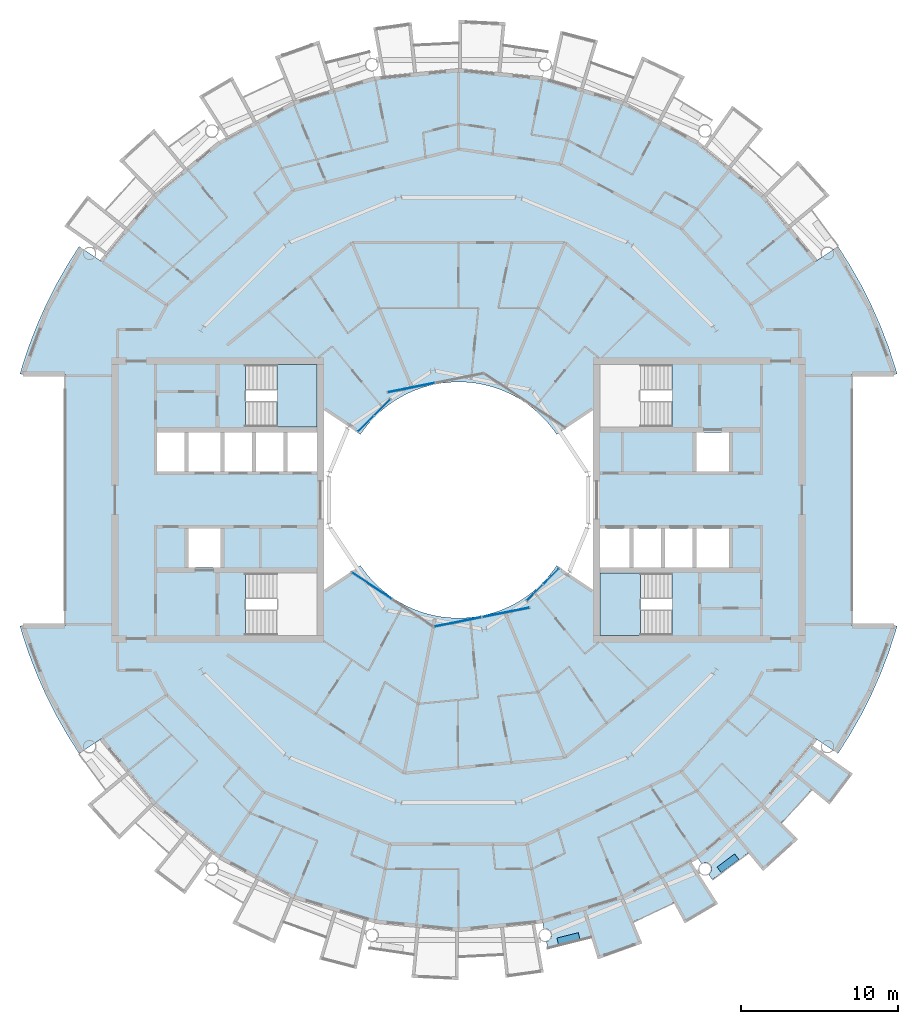
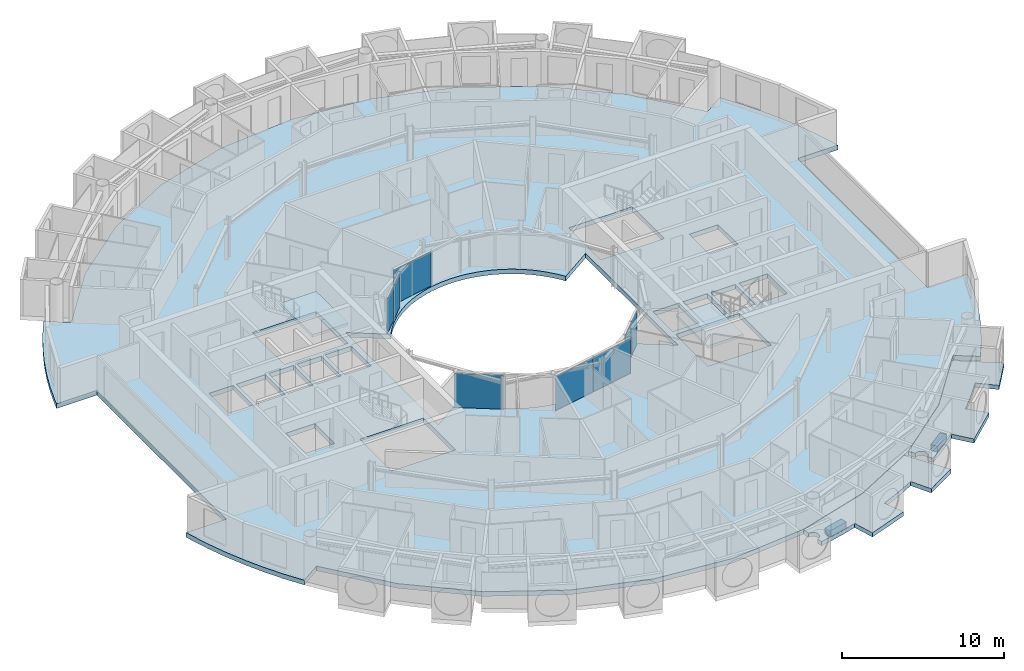
# One storey, part 12 of 29: 8 plates, 7 slabs, 7 elements without a shape of their own.
"""IFC4 building model written with IfcOpenShell, lengths in metres."""

import ifcopenshell
import ifcopenshell.guid

model = None  # the IFC model being written
_history = None  # IfcOwnerHistory: only IFC2X3 demands one
_inside = {}  # id of a spatial element -> (the spatial element, [elements in it])
_under = {}  # id of a project, library or spatial element -> (it, [spatial elements below it])
_declared = {}  # id of a project -> (the project, [libraries it declares])
_typed = {}  # id of a type object -> (the type object, [elements of that type])
_made_of = {}  # id of a material, layer set ... -> (it, [elements and type objects made of it])


def new_model(schema):
    """Start an empty IFC model of exactly this schema.

    Asked for "IFC4X3", IfcOpenShell would pick the latest addendum, in which some entities
    have other attributes; the version numbers below select the first issue.
    IFC2X3 requires an IfcOwnerHistory on every rooted entity: one is made here for all.
    """
    global model, _history
    if schema == "IFC4X3":
        model = ifcopenshell.file(schema_version=(4, 3, 0, 0))
    else:
        model = ifcopenshell.file(schema=schema)
    _inside.clear()
    _under.clear()
    _declared.clear()
    _typed.clear()
    _made_of.clear()
    _history = None
    if model.schema == "IFC2X3":
        org = make("IfcOrganization", Name="unknown")
        user = make(
            "IfcPersonAndOrganization",
            ThePerson=make("IfcPerson", FamilyName="unknown"),
            TheOrganization=org,
        )
        app = make(
            "IfcApplication",
            ApplicationDeveloper=org,
            Version="unknown",
            ApplicationFullName="unknown",
            ApplicationIdentifier="unknown",
        )
        _history = make(
            "IfcOwnerHistory",
            OwningUser=user,
            OwningApplication=app,
            ChangeAction="ADDED",
            CreationDate=0,
        )
    return model


def make(cls, **values):
    """One entity of the class cls with the attributes given. An attribute that is None is left unset."""
    return model.create_entity(
        cls, **{name: value for name, value in values.items() if value is not None}
    )


def rooted(cls, **values):
    """An entity with a GlobalId (a new one), such as an element, a storey or a relation."""
    return make(cls, GlobalId=ifcopenshell.guid.new(), OwnerHistory=_history, **values)


def si_unit(unit_type, name, prefix=None):
    """IfcSIUnit, for example si_unit("LENGTHUNIT", "METRE", prefix="MILLI")."""
    return make("IfcSIUnit", UnitType=unit_type, Prefix=prefix, Name=name)


def assignment(units):
    """IfcUnitAssignment: the units of a project."""
    return None if units is None else make("IfcUnitAssignment", Units=units)


def point(xyz):
    """IfcCartesianPoint."""
    return None if xyz is None else make("IfcCartesianPoint", Coordinates=xyz)


def direction(xyz):
    """IfcDirection."""
    return None if xyz is None else make("IfcDirection", DirectionRatios=xyz)


def frame(location, z_axis=None, x_axis=None):
    """IfcAxis2Placement3D, a coordinate frame: its origin and axes. An axis left out is left unset."""
    return make(
        "IfcAxis2Placement3D",
        Location=point(location),
        Axis=direction(z_axis),
        RefDirection=direction(x_axis),
    )


def frame_2d(location, x_axis=None):
    """IfcAxis2Placement2D, a coordinate frame in the plane: its origin and x axis."""
    return make(
        "IfcAxis2Placement2D", Location=point(location), RefDirection=direction(x_axis)
    )


def origin():
    """The frame at (0, 0, 0) with its axes left unset."""
    return frame((0.0, 0.0, 0.0))


def origin_2d():
    """The frame at (0, 0) in the plane with its x axis left unset."""
    return frame_2d((0.0, 0.0))


def place(relative_to, where):
    """IfcLocalPlacement: puts the frame where relative to a parent placement (None: the world)."""
    return make(
        "IfcLocalPlacement", PlacementRelTo=relative_to, RelativePlacement=where
    )


def context(
    kind, dimensions, precision=None, world=None, true_north=None, identifier=None
):
    """IfcGeometricRepresentationContext, for example the 3D "Model" context."""
    return make(
        "IfcGeometricRepresentationContext",
        ContextIdentifier=identifier,
        ContextType=kind,
        CoordinateSpaceDimension=dimensions,
        Precision=precision,
        WorldCoordinateSystem=world,
        TrueNorth=true_north,
    )


def subcontext(parent, identifier, kind, view, scale=None):
    """IfcGeometricRepresentationSubContext, for example "Body" below "Model"."""
    return make(
        "IfcGeometricRepresentationSubContext",
        ContextIdentifier=identifier,
        ContextType=kind,
        ParentContext=parent,
        TargetScale=scale,
        TargetView=view,
    )


def project(units=None, contexts=None):
    """IfcProject with its units and contexts."""
    return rooted(
        "IfcProject",
        Name="project",
        RepresentationContexts=contexts,
        UnitsInContext=assignment(units),
    )


def spatial(cls, under=None, at=None, **own):
    """A site, building, storey or space (cls), placed at a placement, below another one or the project."""
    s = rooted(cls, ObjectPlacement=at, **own)
    if under is not None:
        _under.setdefault(under.id(), (under, []))[1].append(s)
    return s


def polyline(points):
    """IfcPolyline through the points."""
    return make("IfcPolyline", Points=[point(p) for p in points])


def profile(cls, at=None, kind="AREA", **sizes):
    """A parametric profile (cls). Its sizes go by their IFC names, for example OverallWidth=200.0."""
    return make(cls, ProfileType=kind, Position=at, **sizes)


def rectangle(**sizes):
    """IfcRectangleProfileDef."""
    return profile("IfcRectangleProfileDef", **sizes)


def outline(outer, holes=None, kind="AREA"):
    """IfcArbitraryClosedProfileDef: a profile drawn as a closed curve; with holes, ...WithVoids."""
    if holes is None:
        return make("IfcArbitraryClosedProfileDef", ProfileType=kind, OuterCurve=outer)
    return make(
        "IfcArbitraryProfileDefWithVoids",
        ProfileType=kind,
        OuterCurve=outer,
        InnerCurves=holes,
    )


def extrude(swept, where, along, depth):
    """IfcExtrudedAreaSolid: the profile swept, set in the frame where, extruded along a direction by depth."""
    return make(
        "IfcExtrudedAreaSolid",
        SweptArea=swept,
        Position=where,
        ExtrudedDirection=direction(along),
        Depth=depth,
    )


def shape(context_of_items, identifier, shape_type, items):
    """IfcShapeRepresentation: the items that make up one representation, for example the "Body"."""
    return make(
        "IfcShapeRepresentation",
        ContextOfItems=context_of_items,
        RepresentationIdentifier=identifier,
        RepresentationType=shape_type,
        Items=items,
    )


def material(Name=None, Category=None):
    """IfcMaterial."""
    return make("IfcMaterial", Name=Name, Category=Category)


def layer(
    of_material, thickness, ventilated=None, Name=None, Category=None, Priority=None
):
    """IfcMaterialLayer: one layer of a wall or slab, of a material (None: an air gap)."""
    return make(
        "IfcMaterialLayer",
        Material=of_material,
        LayerThickness=thickness,
        IsVentilated=ventilated,
        Name=Name,
        Category=Category,
        Priority=Priority,
    )


def layer_set(layers, Name=None):
    """IfcMaterialLayerSet."""
    return make("IfcMaterialLayerSet", MaterialLayers=layers, LayerSetName=Name)


def made_of(thing, what):
    """Note that an element or type object is made of a material, layer set ...; save() writes the relation."""
    if what is not None:
        _made_of.setdefault(what.id(), (what, []))[1].append(thing)
    return thing


def type_object(cls, material=None, **own):
    """A type object (cls), such as IfcWallType, which elements share."""
    return made_of(rooted(cls, **own), material)


def element(
    cls,
    number,
    at=None,
    inside=None,
    cuts=None,
    type_object=None,
    material=None,
    context=None,
    identifier="Body",
    shape_type=None,
    held_by="IfcProductDefinitionShape",
    body=None,
    shapes=None,
    **own,
):
    """One element of the class cls, such as IfcWall. Its Tag is "e" and its number.

    at: its placement. inside: the storey or other place that contains it. cuts: it is an
    opening in that element (IfcRelVoidsElement). A single representation is given by context,
    identifier, shape_type and body (its items); several are given by shapes. held_by: the class
    of the entity that holds the representations. save() writes the other relations.
    """
    e = rooted(cls, Tag="e%d" % number, ObjectPlacement=at, **own)
    if body is not None:
        shapes = [shape(context, identifier, shape_type, body)]
    if shapes is not None:
        e.Representation = make(held_by, Representations=shapes)
    if inside is not None:
        _inside.setdefault(inside.id(), (inside, []))[1].append(e)
    if cuts is not None:
        rooted(
            "IfcRelVoidsElement", RelatingBuildingElement=cuts, RelatedOpeningElement=e
        )
    if type_object is not None:
        _typed.setdefault(type_object.id(), (type_object, []))[1].append(e)
    return made_of(e, material)


def aggregate(whole, parts):
    """IfcRelAggregates: a whole, such as a stair, and the parts it consists of."""
    return rooted("IfcRelAggregates", RelatingObject=whole, RelatedObjects=parts)


def save(model, path):
    """Write the relations noted so far, then the file.

    IfcRelAggregates (storeys below a building ...), IfcRelContainedInSpatialStructure (elements
    in a storey), IfcRelDefinesByType, IfcRelAssociatesMaterial and IfcRelDeclares: one each for
    every whole, place, type object, material and project.
    """
    for whole, parts in _under.values():
        aggregate(whole, parts)
    for where, things in _inside.values():
        rooted(
            "IfcRelContainedInSpatialStructure",
            RelatedElements=things,
            RelatingStructure=where,
        )
    for kind, things in _typed.values():
        rooted("IfcRelDefinesByType", RelatedObjects=things, RelatingType=kind)
    for what, things in _made_of.values():
        rooted("IfcRelAssociatesMaterial", RelatedObjects=things, RelatingMaterial=what)
    for by, libraries in _declared.values():
        rooted("IfcRelDeclares", RelatingContext=by, RelatedDefinitions=libraries)
    model.write(path)


model = new_model("IFC4")

# Units and contexts
model_context = context("Model", 3, precision=1e-05, world=origin(), true_north=direction((0.0, 1.0)))
body_context = subcontext(model_context, "Body", "Model", "MODEL_VIEW")
ifc_project = project(units=[si_unit("LENGTHUNIT", "METRE"), si_unit("AREAUNIT", "SQUARE_METRE"), si_unit("VOLUMEUNIT", "CUBIC_METRE"), si_unit("PLANEANGLEUNIT", "RADIAN"), si_unit("MASSUNIT", "GRAM", prefix="KILO")], contexts=[model_context])

# Site, building, storey
site_placement = place(None, origin())
site = spatial("IfcSite", under=ifc_project, at=site_placement, CompositionType="ELEMENT")
building_placement = place(site_placement, origin())
building = spatial("IfcBuilding", under=site, at=building_placement, Name="Maasbend Ring Residences", CompositionType="ELEMENT")
storey_placement = place(building_placement, frame((0.0, 0.0, 215.75)))
storey = spatial("IfcBuildingStorey", under=building, at=storey_placement, Name="L62", CompositionType="ELEMENT", Elevation=215.75)

# Stair, slab
ifc_material_1 = material(Name="Concrete C40/50", Category="concrete")
stair_type = type_object("IfcStairType", Name="CORE STAIR 18 RISERS", PredefinedType="HALF_TURN_STAIR", material=ifc_material_1)
stair_1_placement = place(storey_placement, origin())
stair_1 = element("IfcStair", 1, at=stair_1_placement, inside=storey, type_object=stair_type, Name="L62 Exit stair ST-E2", PredefinedType="HALF_TURN_STAIR")
ifc_material_2 = material(Name="Concrete C40/50", Category="concrete")
ifc_layer_1 = layer(ifc_material_2, 0.199951171875)
ifc_layer_set_1 = layer_set([ifc_layer_1], Name="Concrete C40/50")
slab_type_1 = type_object("IfcSlabType", Name="CORE STAIR LANDING 200", PredefinedType="LANDING", material=ifc_layer_set_1)
slab_1_placement = place(storey_placement, frame((0.0, 0.0, 1.324951171875)))
slab_1 = element("IfcSlab", 2, at=slab_1_placement, type_object=slab_type_1, Name="ST-E2 landing 1", PredefinedType="LANDING", context=body_context, shape_type="SweptSolid", body=[
    extrude(outline(polyline([(11.550048828125, -4.64990234375), (9.0, -4.64990234375), (9.0, -8.60009765625), (11.550048828125, -8.60009765625), (11.550048828125, -4.64990234375)])), origin(), (0.0, 0.0, 1.0), 0.199951171875),
])
aggregate(stair_1, [slab_1])

stair_2_placement = place(storey_placement, origin())
stair_2 = element("IfcStair", 3, at=stair_2_placement, inside=storey, type_object=stair_type, Name="L62 Exit stair ST-W2", PredefinedType="HALF_TURN_STAIR")
slab_2_placement = place(storey_placement, frame((0.0, 0.0, 1.324951171875)))
slab_2 = element("IfcSlab", 4, at=slab_2_placement, type_object=slab_type_1, Name="ST-W2 landing 1", PredefinedType="LANDING", context=body_context, shape_type="SweptSolid", body=[
    extrude(outline(polyline([(-11.550048828125, 4.64990234375), (-9.0, 4.64990234375), (-9.0, 8.60009765625), (-11.550048828125, 8.60009765625), (-11.550048828125, 4.64990234375)])), origin(), (0.0, 0.0, 1.0), 0.199951171875),
])
aggregate(stair_2, [slab_2])

# Curtain wall, plate
ifc_material_3 = material(Name="Aluminium and clear glass", Category="aluminium")
ifc_layer_2 = layer(ifc_material_3, 0.179931640625)
ifc_layer_set_2 = layer_set([ifc_layer_2], Name="CW-W")
curtain_wall_type = type_object("IfcCurtainWallType", Name="CW-W", PredefinedType="NOTDEFINED", material=ifc_layer_set_2)
curtain_wall_1_placement = place(storey_placement, origin())
curtain_wall_1 = element("IfcCurtainWall", 5, at=curtain_wall_1_placement, inside=storey, type_object=curtain_wall_type, Name="Well curtain wall N2", PredefinedType="NOTDEFINED")
ifc_material_4 = material(Name="Glass clear laminated", Category="glass")
ifc_layer_3 = layer(ifc_material_4, 0.031982421875)
ifc_layer_set_3 = layer_set([ifc_layer_3], Name="CWP-W")
plate_type = type_object("IfcPlateType", Name="CWP-W", PredefinedType="CURTAIN_PANEL", material=ifc_layer_set_3)
plate_1_placement = place(storey_placement, frame((-3.0078125, 7.140380859375, 0.0), z_axis=(0.0, 0.0, 1.0), x_axis=(-0.980785280403, -0.195090322016, 0.0)))
plate_1 = element("IfcPlate", 6, at=plate_1_placement, type_object=plate_type, Name="Glass panel well face", PredefinedType="CURTAIN_PANEL", context=body_context, shape_type="SweptSolid", body=[
    extrude(rectangle(XDim=3.053955078125, YDim=0.031982421875, at=origin_2d()), origin(), (0.0, 0.0, 1.0), 2.580078125),
])
aggregate(curtain_wall_1, [plate_1])

# Curtain wall, plates
curtain_wall_2_placement = place(storey_placement, origin())
curtain_wall_2 = element("IfcCurtainWall", 7, at=curtain_wall_2_placement, inside=storey, type_object=curtain_wall_type, Name="Well curtain wall N3", PredefinedType="NOTDEFINED")
plate_2_placement = place(storey_placement, frame((-4.84375, 5.89013671875, 0.0), z_axis=(0.0, 0.0, 1.0), x_axis=(-0.707106781187, -0.707106781187, 0.0)))
plate_2 = element("IfcPlate", 8, at=plate_2_placement, type_object=plate_type, Name="Glass panel well face", PredefinedType="CURTAIN_PANEL", context=body_context, shape_type="SweptSolid", body=[
    extrude(rectangle(XDim=1.419677734375, YDim=0.031982421875, at=origin_2d()), origin(), (0.0, 0.0, 1.0), 2.580078125),
])
plate_3_placement = place(storey_placement, frame((-5.89013671875, 4.84375, 0.0), z_axis=(0.0, 0.0, 1.0), x_axis=(-0.707106781187, -0.707106781187, 0.0)))
plate_3 = element("IfcPlate", 9, at=plate_3_placement, type_object=plate_type, Name="Glass panel well face", PredefinedType="CURTAIN_PANEL", context=body_context, shape_type="SweptSolid", body=[
    extrude(rectangle(XDim=1.419677734375, YDim=0.031982421875, at=origin_2d()), origin(), (0.0, 0.0, 1.0), 2.580078125),
])
aggregate(curtain_wall_2, [plate_2, plate_3])

# Curtain wall, plate
curtain_wall_3_placement = place(storey_placement, origin())
curtain_wall_3 = element("IfcCurtainWall", 10, at=curtain_wall_3_placement, inside=storey, type_object=curtain_wall_type, Name="Well curtain wall S1", PredefinedType="NOTDEFINED")
plate_4_placement = place(storey_placement, frame((-5.51123046875, -5.44580078125, 0.0), z_axis=(0.0, 0.0, 1.0), x_axis=(0.831469612303, -0.55557023302, 0.0)))
plate_4 = element("IfcPlate", 11, at=plate_4_placement, type_object=plate_type, Name="Glass panel well face", PredefinedType="CURTAIN_PANEL", context=body_context, shape_type="SweptSolid", body=[
    extrude(rectangle(XDim=3.053955078125, YDim=0.031982421875, at=origin_2d()), origin(), (0.0, 0.0, 1.0), 2.580078125),
])
aggregate(curtain_wall_3, [plate_4])

# Curtain wall, plates
curtain_wall_4_placement = place(storey_placement, origin())
curtain_wall_4 = element("IfcCurtainWall", 12, at=curtain_wall_4_placement, inside=storey, type_object=curtain_wall_type, Name="Well curtain wall S2", PredefinedType="NOTDEFINED")
plate_5_placement = place(storey_placement, frame((-0.04638671875, -7.747802734375, 0.0), z_axis=(0.0, 0.0, 1.0), x_axis=(0.980785280403, 0.195090322016, 0.0)))
plate_5 = element("IfcPlate", 13, at=plate_5_placement, type_object=plate_type, Name="Glass panel well face", PredefinedType="CURTAIN_PANEL", context=body_context, shape_type="SweptSolid", body=[
    extrude(rectangle(XDim=3.053955078125, YDim=0.031982421875, at=origin_2d()), origin(), (0.0, 0.0, 1.0), 2.580078125),
])
plate_6_placement = place(storey_placement, frame((3.0078125, -7.140380859375, 0.0), z_axis=(0.0, 0.0, 1.0), x_axis=(0.980785280403, 0.195090322016, 0.0)))
plate_6 = element("IfcPlate", 14, at=plate_6_placement, type_object=plate_type, Name="Glass panel well face", PredefinedType="CURTAIN_PANEL", context=body_context, shape_type="SweptSolid", body=[
    extrude(rectangle(XDim=3.053955078125, YDim=0.031982421875, at=origin_2d()), origin(), (0.0, 0.0, 1.0), 2.580078125),
])
aggregate(curtain_wall_4, [plate_5, plate_6])

curtain_wall_5_placement = place(storey_placement, origin())
curtain_wall_5 = element("IfcCurtainWall", 15, at=curtain_wall_5_placement, inside=storey, type_object=curtain_wall_type, Name="Well curtain wall S3", PredefinedType="NOTDEFINED")
plate_7_placement = place(storey_placement, frame((4.84375, -5.89013671875, 0.0), z_axis=(0.0, 0.0, 1.0), x_axis=(0.707106781187, 0.707106781187, 0.0)))
plate_7 = element("IfcPlate", 16, at=plate_7_placement, type_object=plate_type, Name="Glass panel well face", PredefinedType="CURTAIN_PANEL", context=body_context, shape_type="SweptSolid", body=[
    extrude(rectangle(XDim=1.419677734375, YDim=0.031982421875, at=origin_2d()), origin(), (0.0, 0.0, 1.0), 2.580078125),
])
plate_8_placement = place(storey_placement, frame((5.89013671875, -4.84375, 0.0), z_axis=(0.0, 0.0, 1.0), x_axis=(0.707106781187, 0.707106781187, 0.0)))
plate_8 = element("IfcPlate", 17, at=plate_8_placement, type_object=plate_type, Name="Glass panel well face", PredefinedType="CURTAIN_PANEL", context=body_context, shape_type="SweptSolid", body=[
    extrude(rectangle(XDim=1.419677734375, YDim=0.031982421875, at=origin_2d()), origin(), (0.0, 0.0, 1.0), 2.580078125),
])
aggregate(curtain_wall_5, [plate_7, plate_8])

# Slabs
ifc_material_5 = material(Name="Planting with climbing greenery")
ifc_layer_4 = layer(ifc_material_5, 0.449951171875)
ifc_layer_set_4 = layer_set([ifc_layer_4], Name="PLANTER-LG")
slab_type_2 = type_object("IfcSlabType", Name="PLANTER-LG", PredefinedType="USERDEFINED", material=ifc_layer_set_4)
slab_3_placement = place(storey_placement, frame((0.0, 0.0, -0.030029296875)))
element("IfcSlab", 18, at=slab_3_placement, inside=storey, type_object=slab_type_2, Name="Planter with climbing greenery 4", ObjectType="PLANTER", PredefinedType="USERDEFINED", context=body_context, shape_type="SweptSolid", body=[
    extrude(outline(polyline([(6.35888671875, -28.26708984375), (7.717041015625, -27.927001953125), (7.60791015625, -27.489990234375), (6.25, -27.8310546875), (6.35888671875, -28.26708984375)])), origin(), (0.0, 0.0, 1.0), 0.449951171875),
])
slab_4_placement = place(storey_placement, frame((0.0, 0.0, -0.030029296875)))
element("IfcSlab", 19, at=slab_4_placement, inside=storey, type_object=slab_type_2, Name="Planter with climbing greenery 5", ObjectType="PLANTER", PredefinedType="USERDEFINED", context=body_context, shape_type="SweptSolid", body=[
    extrude(outline(polyline([(16.69189453125, -23.681884765625), (17.81689453125, -22.847900390625), (17.549072265625, -22.487060546875), (16.424072265625, -23.321044921875), (16.69189453125, -23.681884765625)])), origin(), (0.0, 0.0, 1.0), 0.449951171875),
])
ifc_material_6 = material(Name="Concrete C40/50", Category="concrete")
ifc_layer_5 = layer(ifc_material_6, 0.35009765625)
ifc_layer_set_5 = layer_set([ifc_layer_5], Name="Concrete C40/50")
slab_type_3 = type_object("IfcSlabType", Name="Post-tensioned flat plate 350", PredefinedType="FLOOR", material=ifc_layer_set_5)
slab_5_placement = place(storey_placement, frame((0.0, 0.0, -0.35009765625)))
element("IfcSlab", 20, at=slab_5_placement, inside=storey, type_object=slab_type_3, Name="Floor slab L62", PredefinedType="FLOOR", context=body_context, shape_type="SweptSolid", body=[
    extrude(outline(polyline([(24.8740234375, -14.908935546875), (25.57568359375, -13.67041015625), (26.2158203125, -12.399169921875), (26.79248046875, -11.097900390625), (27.3046875, -9.769775390625), (27.751220703125, -8.418212890625), (27.866943359375, -8.0), (25.0, -8.0), (25.0, 8.0), (27.866943359375, 8.0), (27.751220703125, 8.418212890625), (27.3046875, 9.769775390625), (26.79248046875, 11.097900390625), (26.2158203125, 12.399169921875), (25.57568359375, 13.67041015625), (24.8740234375, 14.908935546875), (24.112548828125, 16.111572265625), (22.69921875, 15.1669921875), (19.303955078125, 19.303955078125), (15.1669921875, 22.69921875), (10.447265625, 25.221923828125), (5.325927734375, 26.775390625), (0.0, 27.300048828125), (-5.325927734375, 26.775390625), (-10.447265625, 25.221923828125), (-15.1669921875, 22.69921875), (-19.303955078125, 19.303955078125), (-22.69921875, 15.1669921875), (-24.112548828125, 16.111572265625), (-24.8740234375, 14.908935546875), (-25.57568359375, 13.67041015625), (-26.2158203125, 12.399169921875), (-26.79248046875, 11.097900390625), (-27.3046875, 9.769775390625), (-27.751220703125, 8.418212890625), (-27.866943359375, 8.0), (-25.0, 8.0), (-25.0, -8.0), (-27.866943359375, -8.0), (-27.751220703125, -8.418212890625), (-27.3046875, -9.769775390625), (-26.79248046875, -11.097900390625), (-26.2158203125, -12.399169921875), (-25.57568359375, -13.67041015625), (-24.8740234375, -14.908935546875), (-24.112548828125, -16.111572265625), (-22.69921875, -15.1669921875), (-19.303955078125, -19.303955078125), (-15.1669921875, -22.69921875), (-10.447265625, -25.221923828125), (-5.325927734375, -26.775390625), (0.0, -27.300048828125), (5.325927734375, -26.775390625), (10.447265625, -25.221923828125), (15.1669921875, -22.69921875), (19.303955078125, -19.303955078125), (22.69921875, -15.1669921875), (24.112548828125, -16.111572265625), (24.8740234375, -14.908935546875)]), holes=[polyline([(15.125, 1.824951171875), (15.125, 4.27490234375), (17.175048828125, 4.27490234375), (17.175048828125, 1.824951171875), (15.125, 1.824951171875)]), polyline([(15.125, -4.27490234375), (15.125, -1.824951171875), (17.175048828125, -1.824951171875), (17.175048828125, -4.27490234375), (15.125, -4.27490234375)]), polyline([(13.125, -4.27490234375), (13.125, -1.824951171875), (14.875, -1.824951171875), (14.875, -4.27490234375), (13.125, -4.27490234375)]), polyline([(13.550048828125, 8.60009765625), (13.550048828125, 4.64990234375), (9.0, 4.64990234375), (9.0, 8.60009765625), (13.550048828125, 8.60009765625)]), polyline([(13.550048828125, -4.64990234375), (13.550048828125, -8.60009765625), (9.0, -8.60009765625), (9.0, -4.64990234375), (13.550048828125, -4.64990234375)]), polyline([(11.125, -4.27490234375), (11.125, -1.824951171875), (12.875, -1.824951171875), (12.875, -4.27490234375), (11.125, -4.27490234375)]), polyline([(9.0, -4.27490234375), (9.0, -1.824951171875), (10.875, -1.824951171875), (10.875, -4.27490234375), (9.0, -4.27490234375)]), polyline([(6.024169921875, 4.4677734375), (6.236083984375, 4.166748046875), (8.550048828125, 5.712890625), (8.550048828125, -5.712890625), (6.236083984375, -4.166748046875), (6.024169921875, -4.4677734375), (5.797607421875, -4.7578125), (5.55712890625, -5.03662109375), (5.30322265625, -5.30322265625), (5.03662109375, -5.55712890625), (4.7578125, -5.797607421875), (4.4677734375, -6.024169921875), (4.166748046875, -6.236083984375), (3.855712890625, -6.43310546875), (3.535400390625, -6.614501953125), (3.206787109375, -6.77978515625), (2.8701171875, -6.92919921875), (2.526611328125, -7.0615234375), (2.177001953125, -7.177001953125), (1.822509765625, -7.275146484375), (1.463134765625, -7.35595703125), (1.1005859375, -7.418701171875), (0.735107421875, -7.4638671875), (0.367919921875, -7.490966796875), (0.0, -7.5), (-0.367919921875, -7.490966796875), (-0.735107421875, -7.4638671875), (-1.1005859375, -7.418701171875), (-1.463134765625, -7.35595703125), (-1.822509765625, -7.275146484375), (-2.177001953125, -7.177001953125), (-2.526611328125, -7.0615234375), (-2.8701171875, -6.92919921875), (-3.206787109375, -6.77978515625), (-3.535400390625, -6.614501953125), (-3.855712890625, -6.43310546875), (-4.166748046875, -6.236083984375), (-4.4677734375, -6.024169921875), (-4.7578125, -5.797607421875), (-5.03662109375, -5.55712890625), (-5.30322265625, -5.30322265625), (-5.55712890625, -5.03662109375), (-5.797607421875, -4.7578125), (-6.024169921875, -4.4677734375), (-6.236083984375, -4.166748046875), (-8.550048828125, -5.712890625), (-8.550048828125, 5.712890625), (-6.236083984375, 4.166748046875), (-6.024169921875, 4.4677734375), (-5.797607421875, 4.7578125), (-5.55712890625, 5.03662109375), (-5.30322265625, 5.30322265625), (-5.03662109375, 5.55712890625), (-4.7578125, 5.797607421875), (-4.4677734375, 6.024169921875), (-4.166748046875, 6.236083984375), (-3.855712890625, 6.43310546875), (-3.535400390625, 6.614501953125), (-3.206787109375, 6.77978515625), (-2.8701171875, 6.92919921875), (-2.526611328125, 7.0615234375), (-2.177001953125, 7.177001953125), (-1.822509765625, 7.275146484375), (-1.463134765625, 7.35595703125), (-1.1005859375, 7.418701171875), (-0.735107421875, 7.4638671875), (-0.367919921875, 7.490966796875), (0.0, 7.5), (0.367919921875, 7.490966796875), (0.735107421875, 7.4638671875), (1.1005859375, 7.418701171875), (1.463134765625, 7.35595703125), (1.822509765625, 7.275146484375), (2.177001953125, 7.177001953125), (2.526611328125, 7.0615234375), (2.8701171875, 6.92919921875), (3.206787109375, 6.77978515625), (3.535400390625, 6.614501953125), (3.855712890625, 6.43310546875), (4.166748046875, 6.236083984375), (4.4677734375, 6.024169921875), (4.7578125, 5.797607421875), (5.03662109375, 5.55712890625), (5.30322265625, 5.30322265625), (5.55712890625, 5.03662109375), (5.797607421875, 4.7578125), (6.024169921875, 4.4677734375)]), polyline([(-13.550048828125, 4.64990234375), (-13.550048828125, 8.60009765625), (-9.0, 8.60009765625), (-9.0, 4.64990234375), (-13.550048828125, 4.64990234375)]), polyline([(-9.0, -8.60009765625), (-13.550048828125, -8.60009765625), (-13.550048828125, -4.64990234375), (-9.0, -4.64990234375), (-9.0, -8.60009765625)]), polyline([(-9.0, 4.27490234375), (-9.0, 1.824951171875), (-10.875, 1.824951171875), (-10.875, 4.27490234375), (-9.0, 4.27490234375)]), polyline([(-11.125, 4.27490234375), (-11.125, 1.824951171875), (-12.875, 1.824951171875), (-12.875, 4.27490234375), (-11.125, 4.27490234375)]), polyline([(-13.125, 4.27490234375), (-13.125, 1.824951171875), (-14.875, 1.824951171875), (-14.875, 4.27490234375), (-13.125, 4.27490234375)]), polyline([(-15.125, 4.27490234375), (-15.125, 1.824951171875), (-17.175048828125, 1.824951171875), (-17.175048828125, 4.27490234375), (-15.125, 4.27490234375)]), polyline([(-15.125, -1.824951171875), (-15.125, -4.27490234375), (-17.175048828125, -4.27490234375), (-17.175048828125, -1.824951171875), (-15.125, -1.824951171875)]), polyline([(-17.425048828125, 4.27490234375), (-17.425048828125, 1.824951171875), (-19.14990234375, 1.824951171875), (-19.14990234375, 4.27490234375), (-17.425048828125, 4.27490234375)])]), origin(), (0.0, 0.0, 1.0), 0.35009765625),
])
ifc_material_7 = material(Name="Concrete C40/50", Category="concrete")
ifc_layer_6 = layer(ifc_material_7, 0.199951171875)
ifc_layer_set_6 = layer_set([ifc_layer_6], Name="Concrete C40/50")
slab_type_4 = type_object("IfcSlabType", Name="SL-LOGGIA", PredefinedType="FLOOR", material=ifc_layer_set_6)
slab_6_placement = place(storey_placement, frame((0.0, 0.0, -0.35009765625)))
element("IfcSlab", 21, at=slab_6_placement, inside=storey, type_object=slab_type_4, Name="Loggia floor 2", PredefinedType="FLOOR", context=body_context, shape_type="SweptSolid", body=[
    extrude(outline(polyline([(10.447021484375, -25.221923828125), (12.806884765625, -23.9609375), (14.73291015625, -22.930908203125), (14.73291015625, -22.930908203125), (14.73291015625, -22.930908203125), (16.487060546875, -25.659912109375), (16.487060546875, -25.659912109375), (16.487060546875, -25.659912109375), (14.3779296875, -26.89892578125), (14.3779296875, -26.89892578125), (14.3779296875, -26.89892578125), (13.6708984375, -25.575927734375), (13.6708984375, -25.575927734375), (13.6708984375, -25.575927734375), (13.6708984375, -25.575927734375), (13.6708984375, -25.575927734375), (13.6708984375, -25.575927734375), (13.6708984375, -25.575927734375), (13.669921875, -25.575927734375), (13.669921875, -25.575927734375), (13.669921875, -25.575927734375), (13.669921875, -25.575927734375), (13.669921875, -25.575927734375), (13.669921875, -25.575927734375), (13.669921875, -25.575927734375), (13.669921875, -25.575927734375), (13.669921875, -25.575927734375), (13.669921875, -25.575927734375), (12.825927734375, -26.009033203125), (12.825927734375, -26.009033203125), (11.968994140625, -26.4150390625), (11.968994140625, -26.4150390625), (11.097900390625, -26.7919921875), (11.097900390625, -26.7919921875), (11.097900390625, -26.7919921875), (11.097900390625, -26.7919921875), (11.097900390625, -26.7919921875), (11.097900390625, -26.7919921875), (11.097900390625, -26.7919921875), (11.097900390625, -26.79296875), (11.097900390625, -26.79296875), (11.097900390625, -26.79296875), (11.097900390625, -26.79296875), (11.097900390625, -26.79296875), (11.097900390625, -26.79296875), (11.097900390625, -26.79296875), (11.097900390625, -26.79296875), (11.097900390625, -26.79296875), (11.097900390625, -26.79296875), (11.672119140625, -28.177978515625), (11.672119140625, -28.177978515625), (11.672119140625, -28.177978515625), (8.85400390625, -29.18701171875), (8.85400390625, -29.18701171875), (8.85400390625, -29.18701171875), (8.41796875, -27.751953125), (8.41796875, -27.751953125), (8.41796875, -27.751953125), (8.41796875, -27.751953125), (8.41796875, -27.751953125), (8.41796875, -27.751953125), (8.41796875, -27.751953125), (8.41796875, -27.7509765625), (8.41796875, -27.7509765625), (8.41796875, -27.7509765625), (8.41796875, -27.7509765625), (8.41796875, -27.7509765625), (8.41796875, -27.7509765625), (8.41796875, -27.7509765625), (8.41796875, -27.7509765625), (8.41796875, -27.7509765625), (8.41796875, -27.7509765625), (7.506103515625, -28.011962890625), (7.506103515625, -28.011962890625), (6.5849609375, -28.241943359375), (6.5849609375, -28.241943359375), (5.657958984375, -28.443115234375), (5.657958984375, -28.443115234375), (5.657958984375, -28.443115234375), (5.5810546875, -28.056884765625), (5.591064453125, -28.054931640625), (5.60009765625, -28.052001953125), (5.610107421875, -28.050048828125), (5.6201171875, -28.047119140625), (5.62890625, -28.0439453125), (5.637939453125, -28.041015625), (5.64794921875, -28.037109375), (5.656982421875, -28.033935546875), (5.666015625, -28.030029296875), (5.675048828125, -28.02587890625), (5.68408203125, -28.02099609375), (5.693115234375, -28.01708984375), (5.701904296875, -28.011962890625), (5.7099609375, -28.007080078125), (5.718994140625, -28.001953125), (5.72705078125, -27.99609375), (5.736083984375, -27.989990234375), (5.743896484375, -27.985107421875), (5.751953125, -27.97900390625), (5.759033203125, -27.971923828125), (5.76708984375, -27.966064453125), (5.77392578125, -27.958984375), (5.781982421875, -27.952880859375), (5.7890625, -27.946044921875), (5.7958984375, -27.93798828125), (5.802978515625, -27.930908203125), (5.80908203125, -27.924072265625), (5.81591796875, -27.916015625), (5.822021484375, -27.907958984375), (5.827880859375, -27.89990234375), (5.833984375, -27.89208984375), (5.839111328125, -27.884033203125), (5.844970703125, -27.8759765625), (5.85009765625, -27.866943359375), (5.85498046875, -27.85791015625), (5.860107421875, -27.85009765625), (5.864990234375, -27.841064453125), (5.868896484375, -27.83203125), (5.873046875, -27.822998046875), (5.876953125, -27.81396484375), (5.881103515625, -27.803955078125), (5.884033203125, -27.794921875), (5.886962890625, -27.785888671875), (5.889892578125, -27.77587890625), (5.89306640625, -27.76708984375), (5.89599609375, -27.757080078125), (5.89794921875, -27.7470703125), (5.89990234375, -27.737060546875), (5.902099609375, -27.72802734375), (5.904052734375, -27.718017578125), (5.905029296875, -27.7080078125), (5.906005859375, -27.697998046875), (5.906982421875, -27.68798828125), (5.907958984375, -27.677978515625), (5.907958984375, -27.66796875), (5.907958984375, -27.657958984375), (5.907958984375, -27.64794921875), (5.907958984375, -27.637939453125), (5.906982421875, -27.6279296875), (5.906005859375, -27.617919921875), (5.905029296875, -27.60791015625), (5.904052734375, -27.597900390625), (5.902099609375, -27.589111328125), (5.89990234375, -27.5791015625), (5.89794921875, -27.569091796875), (5.89599609375, -27.55908203125), (5.89306640625, -27.550048828125), (5.889892578125, -27.5400390625), (5.886962890625, -27.531005859375), (5.884033203125, -27.52099609375), (5.881103515625, -27.511962890625), (5.876953125, -27.5029296875), (5.873046875, -27.492919921875), (5.868896484375, -27.48388671875), (5.864990234375, -27.47509765625), (5.860107421875, -27.466064453125), (5.85498046875, -27.4580078125), (5.85009765625, -27.448974609375), (5.844970703125, -27.44091796875), (5.839111328125, -27.431884765625), (5.833984375, -27.424072265625), (5.827880859375, -27.416015625), (5.822021484375, -27.407958984375), (5.81591796875, -27.39990234375), (5.80908203125, -27.39306640625), (5.802978515625, -27.385009765625), (5.7958984375, -27.3779296875), (5.7890625, -27.37109375), (5.781982421875, -27.364013671875), (5.77392578125, -27.35693359375), (5.76708984375, -27.35009765625), (5.759033203125, -27.343994140625), (5.751953125, -27.337890625), (5.743896484375, -27.33203125), (5.736083984375, -27.325927734375), (5.72705078125, -27.320068359375), (5.718994140625, -27.31494140625), (5.7099609375, -27.30908203125), (5.701904296875, -27.303955078125), (5.693115234375, -27.300048828125), (5.68408203125, -27.294921875), (5.675048828125, -27.291015625), (5.666015625, -27.285888671875), (5.656982421875, -27.282958984375), (5.64794921875, -27.279052734375), (5.637939453125, -27.27490234375), (5.62890625, -27.27197265625), (5.6201171875, -27.26904296875), (5.610107421875, -27.26611328125), (5.60009765625, -27.263916015625), (5.591064453125, -27.260986328125), (5.5810546875, -27.259033203125), (5.571044921875, -27.258056640625), (5.56103515625, -27.256103515625), (5.551025390625, -27.2548828125), (5.541015625, -27.25390625), (5.531005859375, -27.2529296875), (5.52099609375, -27.251953125), (5.510986328125, -27.251953125), (5.501953125, -27.251953125), (5.491943359375, -27.251953125), (5.48193359375, -27.251953125), (5.471923828125, -27.2529296875), (5.4619140625, -27.25390625), (5.451904296875, -27.2548828125), (5.44189453125, -27.256103515625), (5.431884765625, -27.258056640625), (5.422119140625, -27.259033203125), (5.325927734375, -26.77490234375), (5.325927734375, -26.77490234375), (5.325927734375, -26.77490234375), (7.886962890625, -25.9990234375), (10.447021484375, -25.221923828125), (10.447021484375, -25.221923828125), (10.447021484375, -25.221923828125)])), origin(), (0.0, 0.0, 1.0), 0.320068359375),
])
slab_7_placement = place(storey_placement, frame((0.0, 0.0, -0.35009765625)))
element("IfcSlab", 22, at=slab_7_placement, inside=storey, type_object=slab_type_4, Name="Loggia floor 5", PredefinedType="FLOOR", context=body_context, shape_type="SweptSolid", body=[
    extrude(outline(polyline([(19.303955078125, -19.303955078125), (21.001953125, -17.236083984375), (22.386962890625, -15.547119140625), (22.386962890625, -15.547119140625), (22.386962890625, -15.547119140625), (25.051025390625, -17.39794921875), (25.051025390625, -17.39794921875), (25.051025390625, -17.39794921875), (23.576904296875, -19.34912109375), (23.576904296875, -19.34912109375), (23.576904296875, -19.34912109375), (22.41796875, -18.39794921875), (22.41796875, -18.39794921875), (22.41796875, -18.39794921875), (22.41796875, -18.39794921875), (22.41796875, -18.39794921875), (22.4169921875, -18.39794921875), (22.4169921875, -18.39794921875), (22.4169921875, -18.39794921875), (22.4169921875, -18.39794921875), (22.4169921875, -18.39794921875), (22.4169921875, -18.39794921875), (22.4169921875, -18.39794921875), (22.4169921875, -18.39794921875), (22.4169921875, -18.39794921875), (22.4169921875, -18.39794921875), (22.4169921875, -18.39794921875), (22.4169921875, -18.39794921875), (21.802978515625, -19.12109375), (21.802978515625, -19.12109375), (21.166015625, -19.823974609375), (21.166015625, -19.823974609375), (20.506103515625, -20.506103515625), (20.506103515625, -20.506103515625), (20.506103515625, -20.506103515625), (20.506103515625, -20.506103515625), (20.506103515625, -20.506103515625), (20.506103515625, -20.506103515625), (20.506103515625, -20.506103515625), (20.506103515625, -20.506103515625), (20.506103515625, -20.506103515625), (20.506103515625, -20.506103515625), (20.506103515625, -20.506103515625), (20.506103515625, -20.506103515625), (20.506103515625, -20.506103515625), (20.506103515625, -20.506103515625), (20.506103515625, -20.506103515625), (20.506103515625, -20.506103515625), (20.506103515625, -20.506103515625), (21.56689453125, -21.56689453125), (21.56689453125, -21.56689453125), (21.56689453125, -21.56689453125), (19.34912109375, -23.576904296875), (19.34912109375, -23.576904296875), (19.34912109375, -23.576904296875), (18.39794921875, -22.41796875), (18.39794921875, -22.41796875), (18.39794921875, -22.41796875), (18.39794921875, -22.41796875), (18.39794921875, -22.41796875), (18.39794921875, -22.41796875), (18.39697265625, -22.41796875), (18.39697265625, -22.41796875), (18.39697265625, -22.41796875), (18.39697265625, -22.41796875), (18.39697265625, -22.41796875), (18.39697265625, -22.41796875), (18.39697265625, -22.41796875), (18.39697265625, -22.41796875), (18.39697265625, -22.41796875), (18.39697265625, -22.41796875), (18.39697265625, -22.41796875), (17.654052734375, -23.007080078125), (17.654052734375, -23.007080078125), (16.89208984375, -23.572998046875), (16.89208984375, -23.572998046875), (16.112060546875, -24.113037109375), (16.112060546875, -24.113037109375), (16.112060546875, -24.113037109375), (15.89306640625, -23.784912109375), (15.89306640625, -23.784912109375), (15.90087890625, -23.780029296875), (15.908935546875, -23.77392578125), (15.9169921875, -23.76806640625), (15.925048828125, -23.761962890625), (15.93310546875, -23.7548828125), (15.93994140625, -23.7490234375), (15.947021484375, -23.741943359375), (15.955078125, -23.735107421875), (15.9619140625, -23.72802734375), (15.968017578125, -23.719970703125), (15.97509765625, -23.712890625), (15.98095703125, -23.705078125), (15.988037109375, -23.697021484375), (15.993896484375, -23.68994140625), (15.9990234375, -23.680908203125), (16.0048828125, -23.673095703125), (16.010986328125, -23.6650390625), (16.01611328125, -23.656005859375), (16.02099609375, -23.64794921875), (16.02587890625, -23.638916015625), (16.030029296875, -23.6298828125), (16.034912109375, -23.62109375), (16.0390625, -23.612060546875), (16.04296875, -23.60302734375), (16.0458984375, -23.593994140625), (16.050048828125, -23.583984375), (16.052978515625, -23.574951171875), (16.055908203125, -23.56494140625), (16.05908203125, -23.555908203125), (16.06103515625, -23.5458984375), (16.06396484375, -23.535888671875), (16.06591796875, -23.527099609375), (16.068115234375, -23.51708984375), (16.069091796875, -23.507080078125), (16.071044921875, -23.4970703125), (16.072021484375, -23.487060546875), (16.072021484375, -23.47705078125), (16.072998046875, -23.467041015625), (16.072998046875, -23.45703125), (16.073974609375, -23.447021484375), (16.072998046875, -23.43701171875), (16.072998046875, -23.427001953125), (16.072021484375, -23.4169921875), (16.072021484375, -23.407958984375), (16.071044921875, -23.39794921875), (16.069091796875, -23.387939453125), (16.068115234375, -23.3779296875), (16.06591796875, -23.367919921875), (16.06396484375, -23.35791015625), (16.06103515625, -23.34912109375), (16.05908203125, -23.339111328125), (16.055908203125, -23.3291015625), (16.052978515625, -23.320068359375), (16.050048828125, -23.31005859375), (16.0458984375, -23.301025390625), (16.04296875, -23.2919921875), (16.0390625, -23.282958984375), (16.034912109375, -23.27392578125), (16.030029296875, -23.264892578125), (16.02587890625, -23.256103515625), (16.02099609375, -23.2470703125), (16.01611328125, -23.238037109375), (16.010986328125, -23.22998046875), (16.0048828125, -23.221923828125), (15.9990234375, -23.212890625), (15.993896484375, -23.205078125), (15.988037109375, -23.197021484375), (15.98095703125, -23.18994140625), (15.97509765625, -23.181884765625), (15.968017578125, -23.174072265625), (15.9619140625, -23.1669921875), (15.955078125, -23.159912109375), (15.947021484375, -23.153076171875), (15.93994140625, -23.14599609375), (15.93310546875, -23.139892578125), (15.925048828125, -23.133056640625), (15.9169921875, -23.126953125), (15.908935546875, -23.12109375), (15.90087890625, -23.114990234375), (15.89306640625, -23.10888671875), (15.885009765625, -23.10400390625), (15.8759765625, -23.09912109375), (15.866943359375, -23.093994140625), (15.85888671875, -23.089111328125), (15.85009765625, -23.083984375), (15.841064453125, -23.080078125), (15.83203125, -23.075927734375), (15.822998046875, -23.072021484375), (15.81298828125, -23.068115234375), (15.803955078125, -23.06494140625), (15.794921875, -23.06103515625), (15.784912109375, -23.05810546875), (15.77587890625, -23.055908203125), (15.76611328125, -23.052978515625), (15.756103515625, -23.051025390625), (15.74609375, -23.049072265625), (15.737060546875, -23.047119140625), (15.72705078125, -23.044921875), (15.717041015625, -23.0439453125), (15.70703125, -23.04296875), (15.697021484375, -23.0419921875), (15.68701171875, -23.041015625), (15.677001953125, -23.041015625), (15.6669921875, -23.041015625), (15.656982421875, -23.041015625), (15.64697265625, -23.041015625), (15.636962890625, -23.0419921875), (15.626953125, -23.04296875), (15.616943359375, -23.0439453125), (15.60693359375, -23.044921875), (15.597900390625, -23.047119140625), (15.587890625, -23.049072265625), (15.577880859375, -23.051025390625), (15.568115234375, -23.052978515625), (15.55908203125, -23.055908203125), (15.549072265625, -23.05810546875), (15.5400390625, -23.06103515625), (15.530029296875, -23.06494140625), (15.52099609375, -23.068115234375), (15.511962890625, -23.072021484375), (15.501953125, -23.075927734375), (15.492919921875, -23.080078125), (15.48388671875, -23.083984375), (15.47509765625, -23.089111328125), (15.467041015625, -23.093994140625), (15.4580078125, -23.09912109375), (15.449951171875, -23.10400390625), (15.44091796875, -23.10888671875), (15.44091796875, -23.10888671875), (15.1669921875, -22.698974609375), (15.1669921875, -22.698974609375), (15.1669921875, -22.698974609375), (17.236083984375, -21.001953125), (19.303955078125, -19.303955078125), (19.303955078125, -19.303955078125), (19.303955078125, -19.303955078125)])), origin(), (0.0, 0.0, 1.0), 0.320068359375),
])

save(model, "model.ifc")
